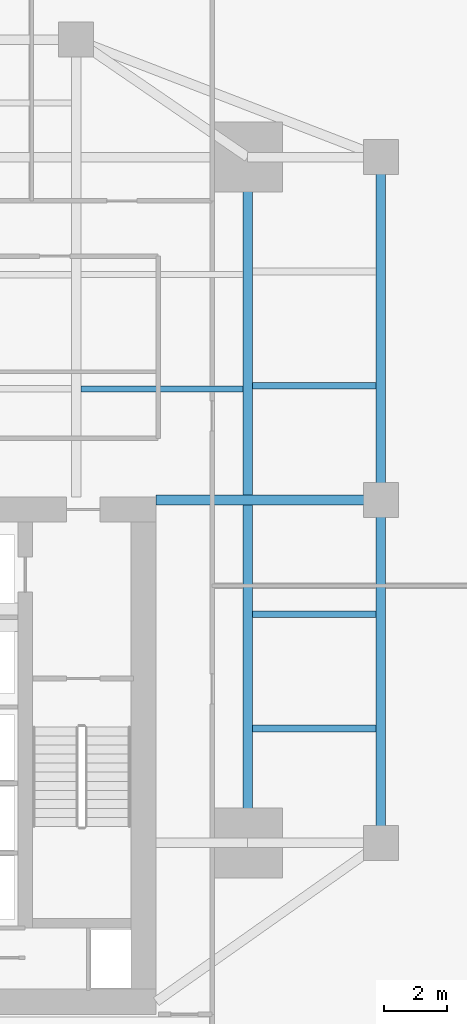
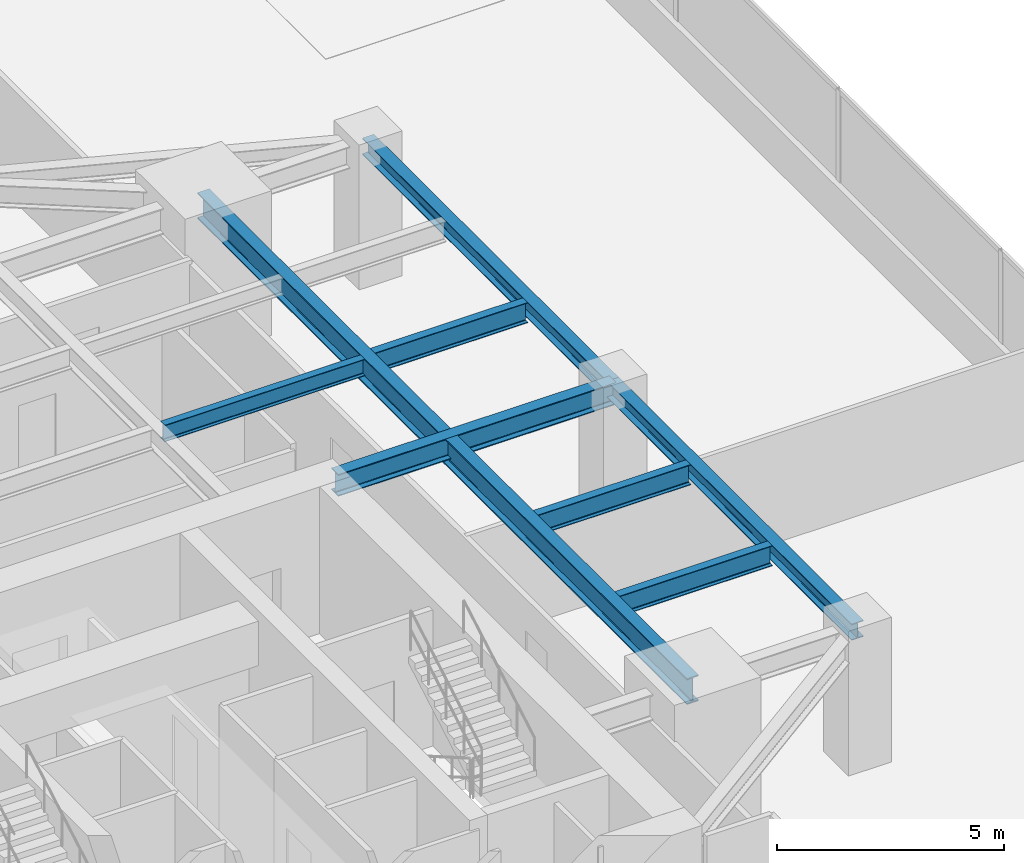
# One storey, part 13 of 30: 8 beams.
"""IFC4 building model written with IfcOpenShell, lengths in metres."""

from ifc_helpers import new_model, si_unit, direction, frame, origin, origin_2d, place, context, subcontext, project, spatial, i_section, extrude, source, transform, mapped, material, material_profile, profile_set, type_object, type_shapes, element, save


model = new_model("IFC4")

# Units and contexts
model_context = context("Model", 3, precision=1e-05, world=origin(), true_north=direction((0.0, 1.0)))
body_context = subcontext(model_context, "Body", "Model", "MODEL_VIEW")
ifc_project = project(units=[si_unit("LENGTHUNIT", "METRE"), si_unit("AREAUNIT", "SQUARE_METRE"), si_unit("VOLUMEUNIT", "CUBIC_METRE"), si_unit("PLANEANGLEUNIT", "RADIAN"), si_unit("MASSUNIT", "GRAM", prefix="KILO")], contexts=[model_context])

# Site, building, storey
site_placement = place(None, origin())
site = spatial("IfcSite", under=ifc_project, at=site_placement, CompositionType="ELEMENT")
building_placement = place(site_placement, origin())
building = spatial("IfcBuilding", under=site, at=building_placement, Name="Krantzveldt Concourse Tower", CompositionType="ELEMENT")
storey_placement = place(building_placement, frame((0.0, 0.0, 25.0)))
storey = spatial("IfcBuildingStorey", under=building, at=storey_placement, Name="L05", CompositionType="ELEMENT", Elevation=25.0)

# Beams
ifc_material_1 = material(Name="Steel S355J2", Category="steel")
ifc_material_profile_1 = material_profile(ifc_material_1, i_section(OverallWidth=0.300048828125, OverallDepth=0.699951171875, WebThickness=0.01708984375, FlangeThickness=0.031982421875, FilletRadius=0.027099609375, at=origin_2d()), Name="Steel S355J2", Category="steel")
ifc_profile_set_1 = profile_set([ifc_material_profile_1], Name="Steel S355J2 - HEB 700")
beam_type_1 = type_object("IfcBeamType", Name="BM-B-HEB700", PredefinedType="BEAM", material=ifc_profile_set_1)
shared_shape_1 = source(origin(), body_context, "Body", "SweptSolid", [
    extrude(i_section(OverallWidth=0.300048828125, OverallDepth=0.699951171875, WebThickness=0.01708984375, FlangeThickness=0.031982421875, FilletRadius=0.027099609375, at=origin_2d()), origin(), (0.0, 0.0, 1.0), 21.60009765625),
])
type_shapes(beam_type_1, [shared_shape_1])
beam_1_placement = place(storey_placement, frame((46.800048828125, 15.89990234375, 3.320068359375), z_axis=(0.0, 1.0, 0.0), x_axis=(-1.0, 0.0, 0.0)))
element("IfcBeam", 1, at=beam_1_placement, inside=storey, type_object=beam_type_1, Name="L05 Tower Girder BG-ME", PredefinedType="BEAM", context=body_context, shape_type="MappedRepresentation", body=[
    mapped(shared_shape_1, transform((0.0, 0.0, 0.0), x_axis=(1.0, 0.0, 0.0), y_axis=(0.0, 1.0, 0.0), z_axis=(0.0, 0.0, 1.0), scale=1.0)),
])
ifc_material_2 = material(Name="Steel S355JR", Category="steel")
ifc_material_profile_2 = material_profile(ifc_material_2, i_section(OverallWidth=0.300048828125, OverallDepth=0.590087890625, WebThickness=0.012939453125, FlangeThickness=0.02490234375, FilletRadius=0.027099609375, at=origin_2d()), Name="Steel S355JR", Category="steel")
ifc_profile_set_2 = profile_set([ifc_material_profile_2], Name="Steel S355JR - HEA 600")
beam_type_2 = type_object("IfcBeamType", Name="BM-B-HEA600", PredefinedType="BEAM", material=ifc_profile_set_2)
shared_shape_2 = source(origin(), body_context, "Body", "SweptSolid", [
    extrude(i_section(OverallWidth=0.300048828125, OverallDepth=0.590087890625, WebThickness=0.012939453125, FlangeThickness=0.02490234375, FilletRadius=0.027099609375, at=origin_2d()), origin(), (0.0, 0.0, 1.0), 7.080078125),
])
type_shapes(beam_type_2, [shared_shape_2])
beam_2_placement = place(storey_placement, frame((43.919921875, 26.699951171875, 3.375), z_axis=(1.0, 0.0, 0.0), x_axis=(0.0, 1.0, 0.0)))
element("IfcBeam", 2, at=beam_2_placement, inside=storey, type_object=beam_type_2, Name="L05 Tower Girder BG-CE2", PredefinedType="BEAM", context=body_context, shape_type="MappedRepresentation", body=[
    mapped(shared_shape_2, transform((0.0, 0.0, 0.0), x_axis=(1.0, 0.0, 0.0), y_axis=(0.0, 1.0, 0.0), z_axis=(0.0, 0.0, 1.0), scale=1.0)),
])
ifc_material_profile_3 = material_profile(ifc_material_2, i_section(OverallWidth=0.300048828125, OverallDepth=0.43994140625, WebThickness=0.011474609375, FlangeThickness=0.02099609375, FilletRadius=0.027099609375, at=origin_2d()), Name="Steel S355JR", Category="steel")
ifc_profile_set_3 = profile_set([ifc_material_profile_3], Name="Steel S355JR - HEA 450")
beam_type_3 = type_object("IfcBeamType", Name="BM-SP-HEA450", PredefinedType="SPANDREL", material=ifc_profile_set_3)
shared_shape_3 = source(origin(), body_context, "Body", "SweptSolid", [
    extrude(i_section(OverallWidth=0.300048828125, OverallDepth=0.43994140625, WebThickness=0.011474609375, FlangeThickness=0.02099609375, FilletRadius=0.027099609375, at=origin_2d()), origin(), (0.0, 0.0, 1.0), 10.800048828125),
])
type_shapes(beam_type_3, [shared_shape_3])
for number, where, z_axis, x_axis, name in (
    (3, (51.0, 37.5, 3.449951171875), (0.0, -1.0, 0.0), (1.0, 0.0, 0.0), "L05 Tower Girder SP-R06"),
    (4, (51.0, 26.699951171875, 3.449951171875), (0.0, -1.0, 0.0), (1.0, 0.0, 0.0), "L05 Tower Girder SP-R07"),
):
    element("IfcBeam", number, at=place(storey_placement, frame(where, z_axis=z_axis, x_axis=x_axis)), inside=storey, type_object=beam_type_3, Name=name, PredefinedType="SPANDREL", context=body_context, shape_type="MappedRepresentation", body=[
        mapped(shared_shape_3, transform((0.0, 0.0, 0.0), x_axis=(1.0, 0.0, 0.0), y_axis=(0.0, 1.0, 0.0), z_axis=(0.0, 0.0, 1.0), scale=1.0)),
    ])
ifc_material_profile_4 = material_profile(ifc_material_2, i_section(OverallWidth=0.18994140625, OverallDepth=0.449951171875, WebThickness=0.009521484375, FlangeThickness=0.0146484375, FilletRadius=0.02099609375, at=origin_2d()), Name="Steel S355JR", Category="steel")
ifc_profile_set_4 = profile_set([ifc_material_profile_4], Name="Steel S355JR - IPE 450")
beam_type_4 = type_object("IfcBeamType", Name="BM-J-IPE450", PredefinedType="JOIST", material=ifc_profile_set_4)
shared_shape_4 = source(origin(), body_context, "Body", "SweptSolid", [
    extrude(i_section(OverallWidth=0.18994140625, OverallDepth=0.449951171875, WebThickness=0.009521484375, FlangeThickness=0.0146484375, FilletRadius=0.02099609375, at=origin_2d()), origin(), (0.0, 0.0, 1.0), 5.099853515625),
])
type_shapes(beam_type_4, [shared_shape_4])
beam_3_placement = place(storey_placement, frame((41.550048828125, 30.199951171875, 3.445068359375), z_axis=(1.0, 0.0, 0.0), x_axis=(0.0, 1.0, 0.0)))
element("IfcBeam", 5, at=beam_3_placement, inside=storey, type_object=beam_type_4, Name="L05 Secondary Floor Joist JN-E1", PredefinedType="JOIST", context=body_context, shape_type="MappedRepresentation", body=[
    mapped(shared_shape_4, transform((0.0, 0.0, 0.0), x_axis=(1.0, 0.0, 0.0), y_axis=(0.0, 1.0, 0.0), z_axis=(0.0, 0.0, 1.0), scale=1.0)),
])
ifc_material_profile_5 = material_profile(ifc_material_2, i_section(OverallWidth=0.2099609375, OverallDepth=0.550048828125, WebThickness=0.010986328125, FlangeThickness=0.01708984375, FilletRadius=0.02392578125, at=origin_2d()), Name="Steel S355JR", Category="steel")
ifc_profile_set_5 = profile_set([ifc_material_profile_5], Name="Steel S355JR - IPE 550")
beam_type_5 = type_object("IfcBeamType", Name="BM-J-IPE550", PredefinedType="JOIST", material=ifc_profile_set_5)
shared_shape_5 = source(origin(), body_context, "Body", "SweptSolid", [
    extrude(i_section(OverallWidth=0.2099609375, OverallDepth=0.550048828125, WebThickness=0.010986328125, FlangeThickness=0.01708984375, FilletRadius=0.02392578125, at=origin_2d()), origin(), (0.0, 0.0, 1.0), 3.900146484375),
])
type_shapes(beam_type_5, [shared_shape_5])
for number, where, z_axis, x_axis, name in (
    (6, (46.949951171875, 19.5, 3.39501953125), (1.0, 0.0, 0.0), (0.0, 1.0, 0.0), "L05 Secondary Floor Joist JE-1"),
    (7, (46.949951171875, 23.10009765625, 3.39501953125), (1.0, 0.0, 0.0), (0.0, 1.0, 0.0), "L05 Secondary Floor Joist JE-2"),
    (8, (46.949951171875, 30.300048828125, 3.39501953125), (1.0, 0.0, 0.0), (0.0, 1.0, 0.0), "L05 Secondary Floor Joist JE-3"),
):
    element("IfcBeam", number, at=place(storey_placement, frame(where, z_axis=z_axis, x_axis=x_axis)), inside=storey, type_object=beam_type_5, Name=name, PredefinedType="JOIST", context=body_context, shape_type="MappedRepresentation", body=[
        mapped(shared_shape_5, transform((0.0, 0.0, 0.0), x_axis=(1.0, 0.0, 0.0), y_axis=(0.0, 1.0, 0.0), z_axis=(0.0, 0.0, 1.0), scale=1.0)),
    ])

save(model, "model.ifc")
